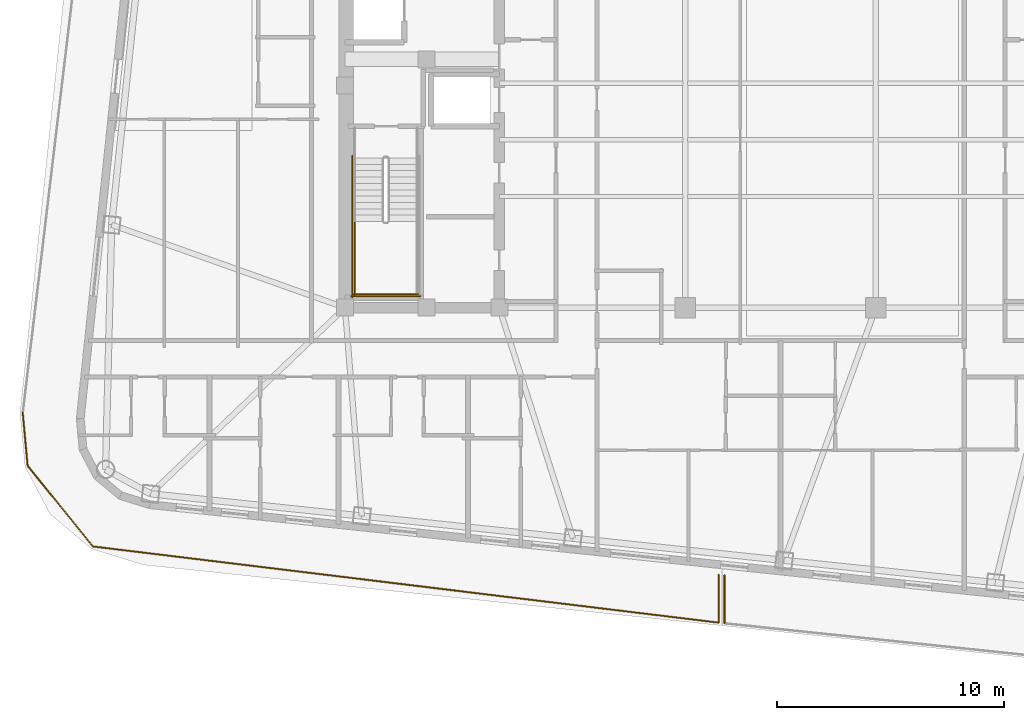
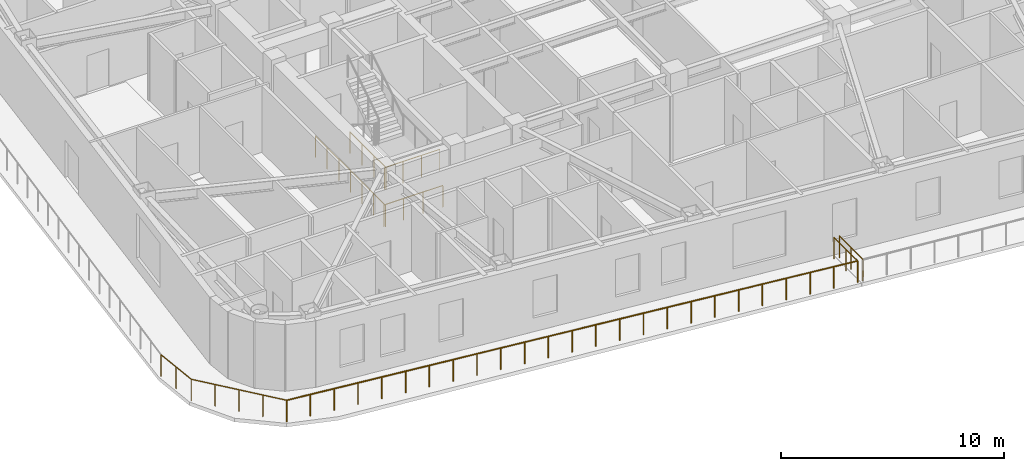
# One storey, part 10 of 14: 9 railings.
"""IFC4 building model written with IfcOpenShell, lengths in metres."""

from ifc_helpers import new_model, si_unit, direction, frame, origin, origin_2d, place, context, subcontext, project, spatial, circle, extrude, material, type_object, element, save


model = new_model("IFC4")

# Units and contexts
model_context = context("Model", 3, precision=1e-05, world=origin(), true_north=direction((0.0, 1.0)))
body_context = subcontext(model_context, "Body", "Model", "MODEL_VIEW")
ifc_project = project(units=[si_unit("LENGTHUNIT", "METRE"), si_unit("AREAUNIT", "SQUARE_METRE"), si_unit("VOLUMEUNIT", "CUBIC_METRE"), si_unit("PLANEANGLEUNIT", "RADIAN"), si_unit("MASSUNIT", "GRAM", prefix="KILO")], contexts=[model_context])

# Site, building, storey
site_placement = place(None, origin())
site = spatial("IfcSite", under=ifc_project, at=site_placement, CompositionType="ELEMENT")
building_placement = place(site_placement, origin())
building = spatial("IfcBuilding", under=site, at=building_placement, Name="Voryun Gate Residences", CompositionType="ELEMENT")
storey_placement = place(building_placement, frame((0.0, 0.0, 291.199951171875)))
storey = spatial("IfcBuildingStorey", under=building, at=storey_placement, Name="L72", CompositionType="ELEMENT", Elevation=291.199951171875)

# Railings
ifc_material_1 = material(Name="Anodised aluminium", Category="aluminium")
railing_type_1 = type_object("IfcRailingType", Name="RAIL_BALCONY_GUARD_1200", PredefinedType="GUARDRAIL", material=ifc_material_1)
railing_1_placement = place(storey_placement, frame((-30.31298828125, -17.924072265625, 0.0)))
element("IfcRailing", 1, at=railing_1_placement, inside=storey, type_object=railing_type_1, Name="Terrace guard RL-L72-P1L1-01", PredefinedType="GUARDRAIL", context=body_context, shape_type="SweptSolid", body=[
    extrude(circle(Radius=0.02392578125, at=origin_2d()), frame((0.0, 0.0, 1.17578125), z_axis=(-0.629298003103, 0.777164090325, 0.0), x_axis=(-0.777164090325, -0.629298003103, 0.0)), (0.0, 0.0, 1.0), 4.5751953125),
    extrude(circle(Radius=0.02099609375, at=origin_2d()), origin(), (0.0, 0.0, 1.0), 1.15185546875),
    extrude(circle(Radius=0.02099609375, at=origin_2d()), frame((-0.7197265625, 0.888916015625, 0.0)), (0.0, 0.0, 1.0), 1.15185546875),
    extrude(circle(Radius=0.02099609375, at=origin_2d()), frame((-1.439453125, 1.77783203125, 0.0)), (0.0, 0.0, 1.0), 1.15185546875),
    extrude(circle(Radius=0.02099609375, at=origin_2d()), frame((-2.159423828125, 2.666748046875, 0.0)), (0.0, 0.0, 1.0), 1.15185546875),
    extrude(circle(Radius=0.02099609375, at=origin_2d()), frame((-2.879150390625, 3.5556640625, 0.0)), (0.0, 0.0, 1.0), 1.15185546875),
])
railing_2_placement = place(storey_placement, frame((-33.192138671875, -14.368408203125, 0.0)))
element("IfcRailing", 2, at=railing_2_placement, inside=storey, type_object=railing_type_1, Name="Terrace guard RL-L72-P1L1-02", PredefinedType="GUARDRAIL", context=body_context, shape_type="SweptSolid", body=[
    extrude(circle(Radius=0.02392578125, at=origin_2d()), frame((0.0, 0.0, 1.17578125), z_axis=(-0.091540409701, 0.995801362417, 0.0), x_axis=(-0.995801362417, -0.091540409701, 0.0)), (0.0, 0.0, 1.0), 2.34423828125),
    extrude(circle(Radius=0.02099609375, at=origin_2d()), origin(), (0.0, 0.0, 1.0), 1.15185546875),
    extrude(circle(Radius=0.02099609375, at=origin_2d()), frame((-0.107421875, 1.167236328125, 0.0)), (0.0, 0.0, 1.0), 1.15185546875),
    extrude(circle(Radius=0.02099609375, at=origin_2d()), frame((-0.214599609375, 2.33447265625, 0.0)), (0.0, 0.0, 1.0), 1.15185546875),
])
railing_3_placement = place(storey_placement, frame((-2.72998046875, -19.17138671875, 0.0)))
element("IfcRailing", 3, at=railing_3_placement, inside=storey, type_object=railing_type_1, Name="Terrace guard RL-L72-P1L2-01", PredefinedType="GUARDRAIL", context=body_context, shape_type="SweptSolid", body=[
    extrude(circle(Radius=0.02392578125, at=origin_2d()), frame((0.0, 0.0, 1.17578125), z_axis=(0.0, -1.0, 0.0), x_axis=(1.0, 0.0, 0.0)), (0.0, 0.0, 1.0), 2.111572265625),
    extrude(circle(Radius=0.02099609375, at=origin_2d()), origin(), (0.0, 0.0, 1.0), 1.15185546875),
    extrude(circle(Radius=0.02099609375, at=origin_2d()), frame((0.0, -1.0556640625, 0.0)), (0.0, 0.0, 1.0), 1.15185546875),
    extrude(circle(Radius=0.02099609375, at=origin_2d()), frame((0.0, -2.111572265625, 0.0)), (0.0, 0.0, 1.0), 1.15185546875),
])
railing_4_placement = place(storey_placement, frame((-2.72998046875, -21.282958984375, 0.0)))
element("IfcRailing", 4, at=railing_4_placement, inside=storey, type_object=railing_type_1, Name="Terrace guard RL-L72-P1L2-02", PredefinedType="GUARDRAIL", context=body_context, shape_type="SweptSolid", body=[
    extrude(circle(Radius=0.02392578125, at=origin_2d()), frame((0.0, 0.0, 1.17578125), z_axis=(-0.992667029644, 0.120880801857, 0.0), x_axis=(-0.120880801857, -0.992667029644, 0.0)), (0.0, 0.0, 1.0), 27.786865234375),
    extrude(circle(Radius=0.02099609375, at=origin_2d()), origin(), (0.0, 0.0, 1.0), 1.15185546875),
    extrude(circle(Radius=0.02099609375, at=origin_2d()), frame((-1.1494140625, 0.139892578125, 0.0)), (0.0, 0.0, 1.0), 1.15185546875),
    extrude(circle(Radius=0.02099609375, at=origin_2d()), frame((-2.298583984375, 0.27978515625, 0.0)), (0.0, 0.0, 1.0), 1.15185546875),
    extrude(circle(Radius=0.02099609375, at=origin_2d()), frame((-3.44775390625, 0.419921875, 0.0)), (0.0, 0.0, 1.0), 1.15185546875),
    extrude(circle(Radius=0.02099609375, at=origin_2d()), frame((-4.59716796875, 0.559814453125, 0.0)), (0.0, 0.0, 1.0), 1.15185546875),
    extrude(circle(Radius=0.02099609375, at=origin_2d()), frame((-5.74658203125, 0.69970703125, 0.0)), (0.0, 0.0, 1.0), 1.15185546875),
    extrude(circle(Radius=0.02099609375, at=origin_2d()), frame((-6.895751953125, 0.83984375, 0.0)), (0.0, 0.0, 1.0), 1.15185546875),
    extrude(circle(Radius=0.02099609375, at=origin_2d()), frame((-8.044921875, 0.979736328125, 0.0)), (0.0, 0.0, 1.0), 1.15185546875),
    extrude(circle(Radius=0.02099609375, at=origin_2d()), frame((-9.1943359375, 1.11962890625, 0.0)), (0.0, 0.0, 1.0), 1.15185546875),
    extrude(circle(Radius=0.02099609375, at=origin_2d()), frame((-10.34375, 1.259521484375, 0.0)), (0.0, 0.0, 1.0), 1.15185546875),
    extrude(circle(Radius=0.02099609375, at=origin_2d()), frame((-11.492919921875, 1.3994140625, 0.0)), (0.0, 0.0, 1.0), 1.15185546875),
    extrude(circle(Radius=0.02099609375, at=origin_2d()), frame((-12.64208984375, 1.53955078125, 0.0)), (0.0, 0.0, 1.0), 1.15185546875),
    extrude(circle(Radius=0.02099609375, at=origin_2d()), frame((-13.79150390625, 1.679443359375, 0.0)), (0.0, 0.0, 1.0), 1.15185546875),
    extrude(circle(Radius=0.02099609375, at=origin_2d()), frame((-14.940673828125, 1.8193359375, 0.0)), (0.0, 0.0, 1.0), 1.15185546875),
    extrude(circle(Radius=0.02099609375, at=origin_2d()), frame((-16.090087890625, 1.95947265625, 0.0)), (0.0, 0.0, 1.0), 1.15185546875),
    extrude(circle(Radius=0.02099609375, at=origin_2d()), frame((-17.2392578125, 2.099365234375, 0.0)), (0.0, 0.0, 1.0), 1.15185546875),
    extrude(circle(Radius=0.02099609375, at=origin_2d()), frame((-18.388671875, 2.2392578125, 0.0)), (0.0, 0.0, 1.0), 1.15185546875),
    extrude(circle(Radius=0.02099609375, at=origin_2d()), frame((-19.5380859375, 2.379150390625, 0.0)), (0.0, 0.0, 1.0), 1.15185546875),
    extrude(circle(Radius=0.02099609375, at=origin_2d()), frame((-20.687255859375, 2.51904296875, 0.0)), (0.0, 0.0, 1.0), 1.15185546875),
    extrude(circle(Radius=0.02099609375, at=origin_2d()), frame((-21.83642578125, 2.6591796875, 0.0)), (0.0, 0.0, 1.0), 1.15185546875),
    extrude(circle(Radius=0.02099609375, at=origin_2d()), frame((-22.98583984375, 2.799072265625, 0.0)), (0.0, 0.0, 1.0), 1.15185546875),
    extrude(circle(Radius=0.02099609375, at=origin_2d()), frame((-24.13525390625, 2.93896484375, 0.0)), (0.0, 0.0, 1.0), 1.15185546875),
    extrude(circle(Radius=0.02099609375, at=origin_2d()), frame((-25.284423828125, 3.0791015625, 0.0)), (0.0, 0.0, 1.0), 1.15185546875),
    extrude(circle(Radius=0.02099609375, at=origin_2d()), frame((-26.43359375, 3.218994140625, 0.0)), (0.0, 0.0, 1.0), 1.15185546875),
    extrude(circle(Radius=0.02099609375, at=origin_2d()), frame((-27.5830078125, 3.35888671875, 0.0)), (0.0, 0.0, 1.0), 1.15185546875),
])
railing_5_placement = place(storey_placement, frame((-2.469970703125, -21.310302734375, 0.0)))
element("IfcRailing", 5, at=railing_5_placement, inside=storey, type_object=railing_type_1, Name="Terrace guard RL-L72-P2L1-07", PredefinedType="GUARDRAIL", context=body_context, shape_type="SweptSolid", body=[
    extrude(circle(Radius=0.02392578125, at=origin_2d()), frame((0.0, 0.0, 1.17578125), z_axis=(0.0, 1.0, 0.0), x_axis=(-1.0, 0.0, 0.0)), (0.0, 0.0, 1.0), 2.111572265625),
    extrude(circle(Radius=0.02099609375, at=origin_2d()), origin(), (0.0, 0.0, 1.0), 1.15185546875),
    extrude(circle(Radius=0.02099609375, at=origin_2d()), frame((0.0, 1.0556640625, 0.0)), (0.0, 0.0, 1.0), 1.15185546875),
    extrude(circle(Radius=0.02099609375, at=origin_2d()), frame((0.0, 2.111572265625, 0.0)), (0.0, 0.0, 1.0), 1.15185546875),
])
ifc_material_2 = material(Name="Painted steel", Category="steel")
railing_type_2 = type_object("IfcRailingType", Name="RAIL_STAIR_GUARD_1200", PredefinedType="GUARDRAIL", material=ifc_material_2)
railing_6_placement = place(storey_placement, frame((-18.77490234375, -3.60009765625, 1.949951171875)))
element("IfcRailing", 6, at=railing_6_placement, inside=storey, type_object=railing_type_2, Name="L72 ST-W1 stair guard 3", PredefinedType="GUARDRAIL", context=body_context, shape_type="SweptSolid", body=[
    extrude(circle(Radius=0.02392578125, at=origin_2d()), frame((0.0, 0.0, 1.17578125), z_axis=(0.0, -1.0, 0.0), x_axis=(1.0, 0.0, 0.0)), (0.0, 0.0, 1.0), 3.25),
    extrude(circle(Radius=0.02099609375, at=origin_2d()), origin(), (0.0, 0.0, 1.0), 1.15185546875),
    extrude(circle(Radius=0.02099609375, at=origin_2d()), frame((0.0, -1.083251953125, 0.0)), (0.0, 0.0, 1.0), 1.15185546875),
    extrude(circle(Radius=0.02099609375, at=origin_2d()), frame((0.0, -2.166748046875, 0.0)), (0.0, 0.0, 1.0), 1.15185546875),
    extrude(circle(Radius=0.02099609375, at=origin_2d()), frame((0.0, -3.25, 0.0)), (0.0, 0.0, 1.0), 1.15185546875),
])
railing_7_placement = place(storey_placement, frame((-18.824951171875, -6.800048828125, 1.949951171875)))
element("IfcRailing", 7, at=railing_7_placement, inside=storey, type_object=railing_type_2, Name="L72 ST-W1 stair guard 5", PredefinedType="GUARDRAIL", context=body_context, shape_type="SweptSolid", body=[
    extrude(circle(Radius=0.02392578125, at=origin_2d()), frame((0.0, 0.0, 1.17578125), z_axis=(1.0, 0.0, 0.0), x_axis=(0.0, 1.0, 0.0)), (0.0, 0.0, 1.0), 2.849853515625),
    extrude(circle(Radius=0.02099609375, at=origin_2d()), origin(), (0.0, 0.0, 1.0), 1.15185546875),
    extrude(circle(Radius=0.02099609375, at=origin_2d()), frame((0.949951171875, 0.0, 0.0)), (0.0, 0.0, 1.0), 1.15185546875),
    extrude(circle(Radius=0.02099609375, at=origin_2d()), frame((1.89990234375, 0.0, 0.0)), (0.0, 0.0, 1.0), 1.15185546875),
    extrude(circle(Radius=0.02099609375, at=origin_2d()), frame((2.849853515625, 0.0, 0.0)), (0.0, 0.0, 1.0), 1.15185546875),
])
railing_8_placement = place(storey_placement, frame((-18.875, -0.699951171875, 0.0)))
element("IfcRailing", 8, at=railing_8_placement, inside=storey, type_object=railing_type_2, Name="L72 ST-W1 stair guard 10", PredefinedType="GUARDRAIL", context=body_context, shape_type="SweptSolid", body=[
    extrude(circle(Radius=0.02392578125, at=origin_2d()), frame((0.0, 0.0, 1.17578125), z_axis=(0.0, -1.0, 0.0), x_axis=(1.0, 0.0, 0.0)), (0.0, 0.0, 1.0), 6.25),
    extrude(circle(Radius=0.02099609375, at=origin_2d()), origin(), (0.0, 0.0, 1.0), 1.15185546875),
    extrude(circle(Radius=0.02099609375, at=origin_2d()), frame((0.0, -1.041748046875, 0.0)), (0.0, 0.0, 1.0), 1.15185546875),
    extrude(circle(Radius=0.02099609375, at=origin_2d()), frame((0.0, -2.083251953125, 0.0)), (0.0, 0.0, 1.0), 1.15185546875),
    extrude(circle(Radius=0.02099609375, at=origin_2d()), frame((0.0, -3.125, 0.0)), (0.0, 0.0, 1.0), 1.15185546875),
    extrude(circle(Radius=0.02099609375, at=origin_2d()), frame((0.0, -4.166748046875, 0.0)), (0.0, 0.0, 1.0), 1.15185546875),
    extrude(circle(Radius=0.02099609375, at=origin_2d()), frame((0.0, -5.208251953125, 0.0)), (0.0, 0.0, 1.0), 1.15185546875),
    extrude(circle(Radius=0.02099609375, at=origin_2d()), frame((0.0, -6.25, 0.0)), (0.0, 0.0, 1.0), 1.15185546875),
])
railing_9_placement = place(storey_placement, frame((-18.925048828125, -6.89990234375, 0.0)))
element("IfcRailing", 9, at=railing_9_placement, inside=storey, type_object=railing_type_2, Name="L72 ST-W1 stair guard 12", PredefinedType="GUARDRAIL", context=body_context, shape_type="SweptSolid", body=[
    extrude(circle(Radius=0.02392578125, at=origin_2d()), frame((0.0, 0.0, 1.17578125), z_axis=(1.0, 0.0, 0.0), x_axis=(0.0, 1.0, 0.0)), (0.0, 0.0, 1.0), 3.050048828125),
    extrude(circle(Radius=0.02099609375, at=origin_2d()), origin(), (0.0, 0.0, 1.0), 1.15185546875),
    extrude(circle(Radius=0.02099609375, at=origin_2d()), frame((1.0166015625, 0.0, 0.0)), (0.0, 0.0, 1.0), 1.15185546875),
    extrude(circle(Radius=0.02099609375, at=origin_2d()), frame((2.033447265625, 0.0, 0.0)), (0.0, 0.0, 1.0), 1.15185546875),
    extrude(circle(Radius=0.02099609375, at=origin_2d()), frame((3.050048828125, 0.0, 0.0)), (0.0, 0.0, 1.0), 1.15185546875),
])

save(model, "model.ifc")
